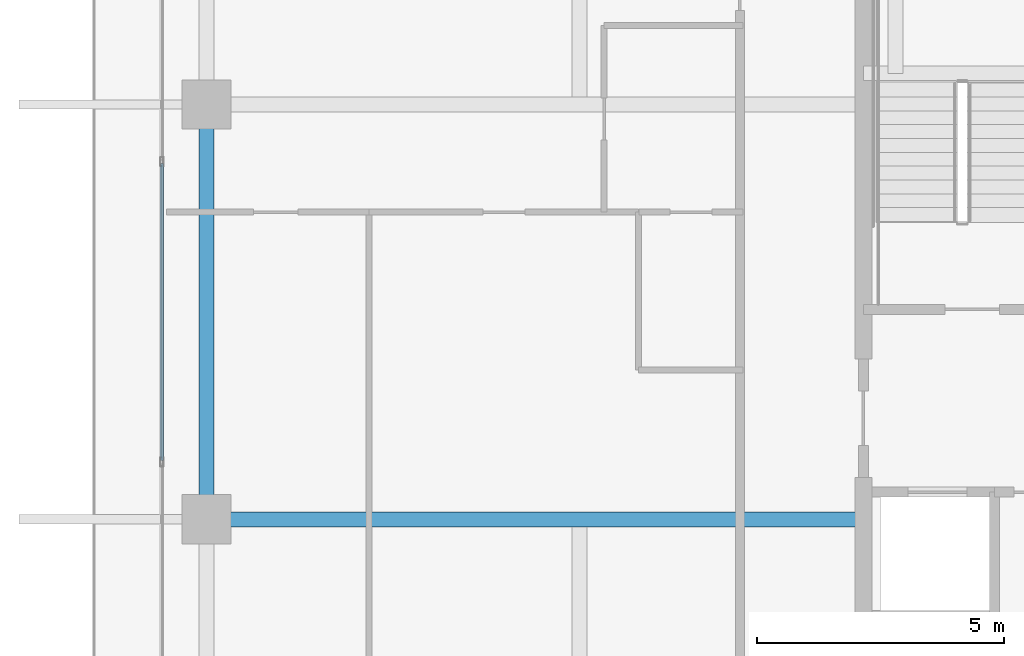
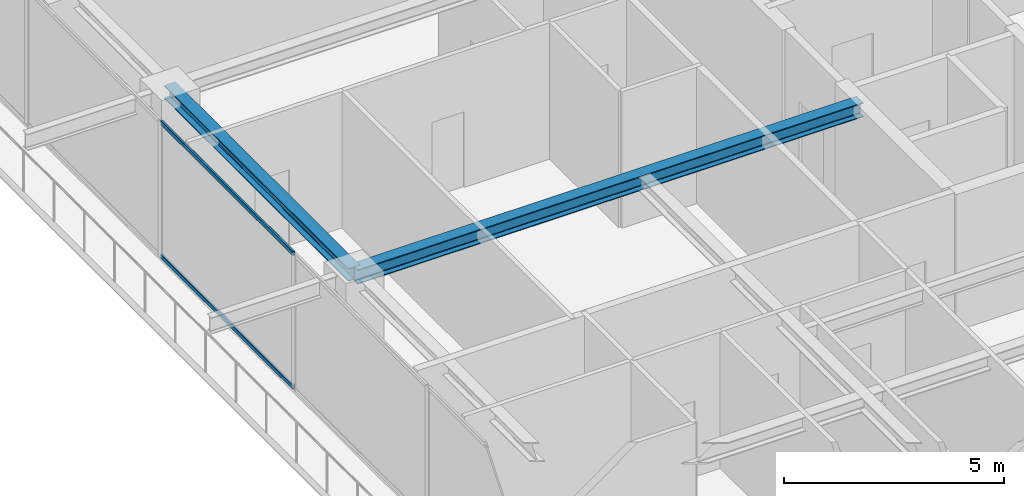
# One storey, part 8 of 41: 2 beams, 2 members, 1 element without a shape of its own.
"""IFC4 building model written with IfcOpenShell, lengths in metres."""

from ifc_helpers import new_model, si_unit, direction, frame, origin, origin_2d, place, context, subcontext, project, spatial, hollow_rectangle, i_section, extrude, source, transform, mapped, material, layer, layer_set, material_profile, profile_set, type_object, element, aggregate, save


model = new_model("IFC4")

# Units and contexts
model_context = context("Model", 3, precision=1e-05, world=origin(), true_north=direction((0.0, 1.0)))
body_context = subcontext(model_context, "Body", "Model", "MODEL_VIEW")
ifc_project = project(units=[si_unit("LENGTHUNIT", "METRE"), si_unit("AREAUNIT", "SQUARE_METRE"), si_unit("VOLUMEUNIT", "CUBIC_METRE"), si_unit("PLANEANGLEUNIT", "RADIAN"), si_unit("MASSUNIT", "GRAM", prefix="KILO")], contexts=[model_context])

# Site, building, storey
site_placement = place(None, origin())
site = spatial("IfcSite", under=ifc_project, at=site_placement, CompositionType="ELEMENT")
building_placement = place(site_placement, origin())
building = spatial("IfcBuilding", under=site, at=building_placement, Name="Serunith Strait Residences", CompositionType="ELEMENT")
storey_placement = place(building_placement, frame((0.0, 0.0, 301.550048828125)))
storey = spatial("IfcBuildingStorey", under=building, at=storey_placement, Name="L75", CompositionType="ELEMENT", Elevation=301.550048828125)

# Beams
ifc_material_1 = material(Name="Steel S355J2", Category="steel")
ifc_material_profile_1 = material_profile(ifc_material_1, i_section(OverallWidth=0.300048828125, OverallDepth=0.39990234375, WebThickness=0.013427734375, FlangeThickness=0.02392578125, FilletRadius=0.027099609375, at=origin_2d()), Name="HEB 400")
ifc_profile_set_1 = profile_set([ifc_material_profile_1], Name="Steel S355J2")
beam_type_1 = type_object("IfcBeamType", Name="BM-HEB400", PredefinedType="BEAM", material=ifc_profile_set_1)
shared_shape_1 = source(origin(), body_context, "Body", "SweptSolid", [
    extrude(i_section(OverallWidth=0.300048828125, OverallDepth=0.39990234375, WebThickness=0.013427734375, FlangeThickness=0.02392578125, FilletRadius=0.027099609375, at=origin_2d()), origin(), (0.0, 0.0, 1.0), 13.2998046875),
])
beam_1_placement = place(storey_placement, frame((23.39990234375, 21.0, 3.5869140625), z_axis=(-1.0, 0.0, 0.0), x_axis=(0.0, -1.0, 0.0)))
element("IfcBeam", 1, at=beam_1_placement, inside=storey, type_object=beam_type_1, Name="L75 Primary Floor Girder TC-W2", PredefinedType="BEAM", context=body_context, shape_type="MappedRepresentation", body=[
    mapped(shared_shape_1, transform((0.0, 0.0, 0.0), scale=1.0)),
])
ifc_material_profile_2 = material_profile(ifc_material_1, i_section(OverallWidth=0.300048828125, OverallDepth=0.360107421875, WebThickness=0.012451171875, FlangeThickness=0.0224609375, FilletRadius=0.027099609375, at=origin_2d()), Name="HEB 360")
ifc_profile_set_2 = profile_set([ifc_material_profile_2], Name="Steel S355J2")
beam_type_2 = type_object("IfcBeamType", Name="BM-HEB360", PredefinedType="BEAM", material=ifc_profile_set_2)
shared_shape_2 = source(origin(), body_context, "Body", "SweptSolid", [
    extrude(i_section(OverallWidth=0.300048828125, OverallDepth=0.360107421875, WebThickness=0.012451171875, FlangeThickness=0.0224609375, FilletRadius=0.027099609375, at=origin_2d()), origin(), (0.0, 0.0, 1.0), 8.39990234375),
])
beam_2_placement = place(storey_placement, frame((10.10009765625, 29.39990234375, 3.60693359375), z_axis=(0.0, -1.0, 0.0), x_axis=(1.0, 0.0, 0.0)))
element("IfcBeam", 2, at=beam_2_placement, inside=storey, type_object=beam_type_2, Name="L75 Perimeter Ring Beam 14", PredefinedType="BEAM", context=body_context, shape_type="MappedRepresentation", body=[
    mapped(shared_shape_2, transform((0.0, 0.0, 0.0), scale=1.0)),
])

# Curtain wall, members
ifc_material_2 = material(Name="Brushed Stainless-Silver Aluminium", Category="aluminium")
ifc_layer = layer(ifc_material_2, 0.199951171875, Name="Brushed Stainless-Silver Aluminium")
ifc_layer_set = layer_set([ifc_layer], Name="Brushed Stainless-Silver Aluminium")
curtain_wall_type = type_object("IfcCurtainWallType", Name="CW-SYS5", PredefinedType="NOTDEFINED", material=ifc_layer_set)
curtain_wall_placement = place(storey_placement, origin())
curtain_wall = element("IfcCurtainWall", 3, at=curtain_wall_placement, inside=storey, type_object=curtain_wall_type, Name="L75 W Unitised Fritted Curtain Wall", PredefinedType="NOTDEFINED")
ifc_material_profile_3 = material_profile(ifc_material_2, hollow_rectangle(XDim=0.06005859375, YDim=0.1201171875, WallThickness=0.00341796875, InnerFilletRadius=0.00537109375, OuterFilletRadius=0.0087890625, at=origin_2d()), Name="ALU 120x60x3.5")
ifc_profile_set_3 = profile_set([ifc_material_profile_3], Name="Brushed Stainless-Silver Aluminium")
member_type = type_object("IfcMemberType", Name="CW-SYS5-TRAN", PredefinedType="USERDEFINED", material=ifc_profile_set_3)
shared_shape_3 = source(origin(), body_context, "Body", "SweptSolid", [
    extrude(hollow_rectangle(XDim=0.06005859375, YDim=0.1201171875, WallThickness=0.00341796875, InnerFilletRadius=0.00537109375, OuterFilletRadius=0.0087890625, at=origin_2d()), origin(), (0.0, 0.0, 1.0), 6.01513671875),
])
member_1_placement = place(storey_placement, frame((9.199951171875, 28.20751953125, 0.030029296875), z_axis=(0.0, -1.0, 0.0), x_axis=(1.0, 0.0, 0.0)))
member_1 = element("IfcMember", 4, at=member_1_placement, type_object=member_type, Name="CW-5 transom 3.1", ObjectType="TRANSOM", PredefinedType="USERDEFINED", context=body_context, shape_type="MappedRepresentation", body=[
    mapped(shared_shape_3, transform((0.0, 0.0, 0.0), scale=1.0)),
])
member_2_placement = place(storey_placement, frame((9.199951171875, 28.20751953125, 3.744873046875), z_axis=(0.0, -1.0, 0.0), x_axis=(1.0, 0.0, 0.0)))
member_2 = element("IfcMember", 5, at=member_2_placement, type_object=member_type, Name="CW-5 transom 3.2", ObjectType="TRANSOM", PredefinedType="USERDEFINED", context=body_context, shape_type="MappedRepresentation", body=[
    mapped(shared_shape_3, transform((0.0, 0.0, 0.0), scale=1.0)),
])
aggregate(curtain_wall, [member_1, member_2])

save(model, "model.ifc")
